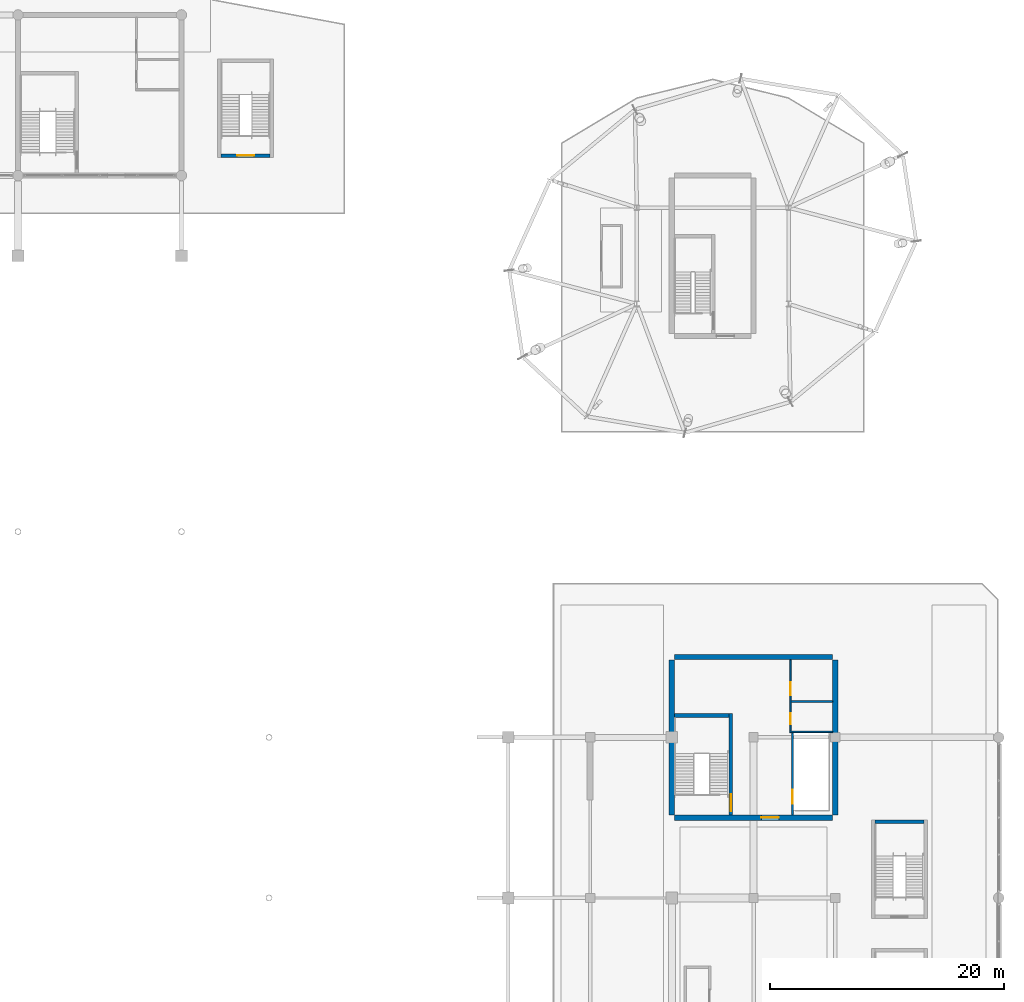
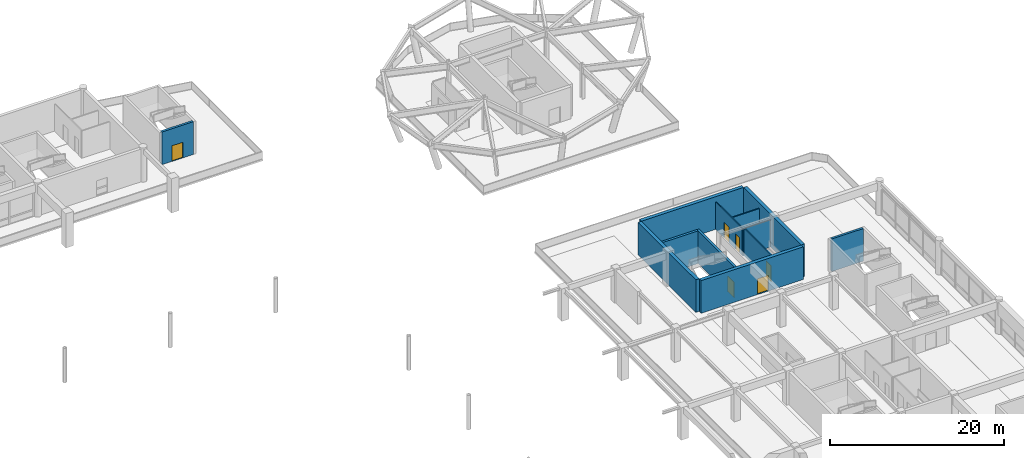
# One storey, part 74 of 91: 12 walls, 6 doors, 6 openings.
"""IFC4 building model written with IfcOpenShell, lengths in metres."""

from ifc_helpers import new_model, si_unit, direction, frame, frame_2d, origin, place, context, subcontext, project, spatial, rectangle, extrude, material, layer, layer_set, type_object, element, fill, save


model = new_model("IFC4")

# Units and contexts
model_context = context("Model", 3, precision=1e-05, world=origin(), true_north=direction((0.0, 1.0)))
body_context = subcontext(model_context, "Body", "Model", "MODEL_VIEW")
ifc_project = project(units=[si_unit("LENGTHUNIT", "METRE"), si_unit("AREAUNIT", "SQUARE_METRE"), si_unit("VOLUMEUNIT", "CUBIC_METRE"), si_unit("PLANEANGLEUNIT", "RADIAN"), si_unit("MASSUNIT", "GRAM", prefix="KILO")], contexts=[model_context])

# Site, building, storey
site_placement = place(None, origin())
site = spatial("IfcSite", under=ifc_project, at=site_placement, CompositionType="ELEMENT")
building_placement = place(site_placement, origin())
building = spatial("IfcBuilding", under=site, at=building_placement, Name="Linyun Crest Stadium", CompositionType="ELEMENT")
storey_placement = place(building_placement, frame((0.0, 0.0, 11.39990234375)))
storey = spatial("IfcBuildingStorey", under=building, at=storey_placement, Name="L03", CompositionType="ELEMENT", Elevation=11.39990234375)

# Walls
ifc_material_1 = material(Name="Concrete C50", Category="concrete")
ifc_layer_1 = layer(ifc_material_1, 0.449951171875)
ifc_layer_set_1 = layer_set([ifc_layer_1], Name="Concrete C50")
wall_type_1 = type_object("IfcWallType", Name="CW03", PredefinedType="SHEAR", material=ifc_layer_set_1)
for number, where, z_axis, x_axis, name in (
    (1, (70.0, 36.72509765625, 0.0), (0.0, 0.0, 1.0), (0.0, 1.0, 0.0), "Core shear wall CW03 CORE-E3 L03.1"),
    (2, (84.0, 36.72509765625, 0.0), (0.0, 0.0, 1.0), (0.0, 1.0, 0.0), "Core shear wall CW03 CORE-E3 L03.2"),
):
    element("IfcWall", number, at=place(storey_placement, frame(where, z_axis=z_axis, x_axis=x_axis)), inside=storey, type_object=wall_type_1, Name=name, PredefinedType="SHEAR", context=body_context, shape_type="SweptSolid", body=[
        extrude(rectangle(XDim=13.2998046875, YDim=0.449951171875, at=frame_2d((6.64990234375, 0.0))), origin(), (0.0, 0.0, 1.0), 4.580078125),
    ])

# Wall, opening, door
wall_1_placement = place(storey_placement, frame((70.22509765625, 36.5, 0.0), z_axis=(0.0, 0.0, 1.0), x_axis=(1.0, 0.0, 0.0)))
wall_1 = element("IfcWall", 3, at=wall_1_placement, inside=storey, type_object=wall_type_1, Name="Core shear wall CW03 CORE-E3 L03.3", PredefinedType="SHEAR", context=body_context, shape_type="SweptSolid", body=[
    extrude(rectangle(XDim=13.5498046875, YDim=0.449951171875, at=frame_2d((6.77490234375, 0.0))), origin(), (0.0, 0.0, 1.0), 4.580078125),
])
opening_1_placement = place(wall_1_placement, frame((7.452880859375, 0.0, 0.0)))
opening_1 = element("IfcOpeningElement", 4, at=opening_1_placement, cuts=wall_1, Name="Opening D-L03-241", PredefinedType="OPENING", context=body_context, shape_type="SweptSolid", body=[
    extrude(rectangle(XDim=1.5, YDim=2.199951171875, at=frame_2d((0.75, 1.10009765625))), frame((0.0, 0.23486328125, 0.0), z_axis=(0.0, -1.0, 0.0), x_axis=(1.0, 0.0, 0.0)), (0.0, 0.0, 1.0), 0.469970703125),
])
ifc_material_2 = material(Name="Galvanized steel Class A fire door", Category="steel")
ifc_layer_2 = layer(ifc_material_2, 0.054931640625)
ifc_layer_set_2 = layer_set([ifc_layer_2], Name="Galvanized steel Class A fire door")
door_type_1 = type_object("IfcDoorType", Name="FD01", OperationType="NOTDEFINED", PredefinedType="DOOR", material=ifc_layer_set_2)
door_1_placement = place(opening_1_placement, origin())
door_1 = element("IfcDoor", 5, at=door_1_placement, inside=storey, type_object=door_type_1, Name="Door D-L03-241", OperationType="SINGLE_SWING_LEFT", OverallHeight=2.199951171875, OverallWidth=1.5, PredefinedType="DOOR", context=body_context, shape_type="SweptSolid", body=[
    extrude(rectangle(XDim=1.5, YDim=2.199951171875, at=frame_2d((0.75, 1.10009765625))), frame((0.0, 0.02490234375, 0.0), z_axis=(0.0, -1.0, 0.0), x_axis=(1.0, 0.0, 0.0)), (0.0, 0.0, 1.0), 0.050048828125),
])
fill(opening_1, door_1)

# Wall
wall_2_placement = place(storey_placement, frame((70.22509765625, 50.25, 0.0), z_axis=(0.0, 0.0, 1.0), x_axis=(1.0, 0.0, 0.0)))
element("IfcWall", 6, at=wall_2_placement, inside=storey, type_object=wall_type_1, Name="Core shear wall CW03 CORE-E3 L03.4", PredefinedType="SHEAR", context=body_context, shape_type="SweptSolid", body=[
    extrude(rectangle(XDim=13.5498046875, YDim=0.449951171875, at=frame_2d((6.77490234375, 0.0))), origin(), (0.0, 0.0, 1.0), 4.580078125),
])

# Wall, opening, door
ifc_material_3 = material(Name="Autoclaved aerated concrete block fire partition", Category="concrete")
ifc_layer_3 = layer(ifc_material_3, 0.179931640625)
ifc_layer_set_3 = layer_set([ifc_layer_3], Name="Autoclaved aerated concrete block fire partition")
wall_type_2 = type_object("IfcWallType", Name="PW12", PredefinedType="PARTITIONING", material=ifc_layer_set_3)
wall_3_placement = place(storey_placement, frame((80.35009765625, 36.72509765625, 0.0), z_axis=(0.0, 0.0, 1.0), x_axis=(0.0, 1.0, 0.0)))
wall_3 = element("IfcWall", 7, at=wall_3_placement, inside=storey, type_object=wall_type_2, Name="Partition PW12 L03 87", PredefinedType="PARTITIONING", context=body_context, shape_type="SweptSolid", body=[
    extrude(rectangle(XDim=7.054931640625, YDim=0.179931640625, at=frame_2d((3.52734375, 0.0))), origin(), (0.0, 0.0, 1.0), 3.820068359375),
])
opening_2_placement = place(wall_3_placement, frame((0.97509765625, 0.0, 0.0)))
opening_2 = element("IfcOpeningElement", 8, at=opening_2_placement, cuts=wall_3, Name="Opening LD082", PredefinedType="OPENING", context=body_context, shape_type="SweptSolid", body=[
    extrude(rectangle(XDim=1.199951171875, YDim=2.25, at=frame_2d((0.60009765625, 1.125))), frame((0.0, 0.099853515625, 0.0), z_axis=(0.0, -1.0, 0.0), x_axis=(1.0, 0.0, 0.0)), (0.0, 0.0, 1.0), 0.199951171875),
])
ifc_material_4 = material(Name="Brushed stainless sliding lift door")
ifc_layer_4 = layer(ifc_material_4, 0.050048828125)
ifc_layer_set_4 = layer_set([ifc_layer_4], Name="Brushed stainless sliding lift door")
door_type_2 = type_object("IfcDoorType", Name="LD02", OperationType="NOTDEFINED", PredefinedType="DOOR", material=ifc_layer_set_4)
door_2_placement = place(opening_2_placement, origin())
door_2 = element("IfcDoor", 9, at=door_2_placement, inside=storey, type_object=door_type_2, Name="Lift landing door LD082", OperationType="DOUBLE_DOOR_SLIDING", OverallHeight=2.25, OverallWidth=1.199951171875, PredefinedType="DOOR", context=body_context, shape_type="SweptSolid", body=[
    extrude(rectangle(XDim=1.199951171875, YDim=2.25, at=frame_2d((0.60009765625, 1.125))), frame((0.0, 0.02490234375, 0.0), z_axis=(0.0, -1.0, 0.0), x_axis=(1.0, 0.0, 0.0)), (0.0, 0.0, 1.0), 0.050048828125),
])
fill(opening_2, door_2)

# Wall, openings, doors
ifc_material_5 = material(Name="Moisture-resistant ceramic-tiled wet-room wall")
ifc_layer_5 = layer(ifc_material_5, 0.139892578125)
ifc_layer_set_5 = layer_set([ifc_layer_5], Name="Moisture-resistant ceramic-tiled wet-room wall")
wall_type_3 = type_object("IfcWallType", Name="PW15", PredefinedType="PARTITIONING", material=ifc_layer_set_5)
wall_4_placement = place(storey_placement, frame((80.14990234375, 43.919921875, 0.0), z_axis=(0.0, 0.0, 1.0), x_axis=(0.0, 1.0, 0.0)))
wall_4 = element("IfcWall", 10, at=wall_4_placement, inside=storey, type_object=wall_type_3, Name="Partition PW15 L03 88", PredefinedType="PARTITIONING", context=body_context, shape_type="SweptSolid", body=[
    extrude(rectangle(XDim=6.10498046875, YDim=0.139892578125, at=frame_2d((3.052490234375, 0.0))), origin(), (0.0, 0.0, 1.0), 3.820068359375),
])
opening_3_placement = place(wall_4_placement, frame((0.580078125, 0.0, 0.0)))
opening_3 = element("IfcOpeningElement", 11, at=opening_3_placement, cuts=wall_4, Name="Opening D-L03-244", PredefinedType="OPENING", context=body_context, shape_type="SweptSolid", body=[
    extrude(rectangle(XDim=0.949951171875, YDim=2.14990234375, at=frame_2d((0.47509765625, 1.074951171875))), frame((0.0, 0.079833984375, 0.0), z_axis=(0.0, -1.0, 0.0), x_axis=(1.0, 0.0, 0.0)), (0.0, 0.0, 1.0), 0.159912109375),
])
opening_4_placement = place(wall_4_placement, frame((3.080078125, 0.0, 0.0)))
opening_4 = element("IfcOpeningElement", 12, at=opening_4_placement, cuts=wall_4, Name="Opening D-L03-245", PredefinedType="OPENING", context=body_context, shape_type="SweptSolid", body=[
    extrude(rectangle(XDim=1.10009765625, YDim=2.14990234375, at=frame_2d((0.550048828125, 1.074951171875))), frame((0.0, 0.079833984375, 0.0), z_axis=(0.0, -1.0, 0.0), x_axis=(1.0, 0.0, 0.0)), (0.0, 0.0, 1.0), 0.159912109375),
])
ifc_material_6 = material(Name="Moisture-resistant laminate leaf")
ifc_layer_6 = layer(ifc_material_6, 0.044921875)
ifc_layer_set_6 = layer_set([ifc_layer_6], Name="Moisture-resistant laminate leaf")
door_type_3 = type_object("IfcDoorType", Name="ID02", OperationType="NOTDEFINED", PredefinedType="DOOR", material=ifc_layer_set_6)
door_3_placement = place(opening_3_placement, origin())
door_3 = element("IfcDoor", 13, at=door_3_placement, inside=storey, type_object=door_type_3, Name="Door D-L03-244", OperationType="SINGLE_SWING_RIGHT", OverallHeight=2.14990234375, OverallWidth=0.949951171875, PredefinedType="DOOR", context=body_context, shape_type="SweptSolid", body=[
    extrude(rectangle(XDim=0.949951171875, YDim=2.14990234375, at=frame_2d((0.47509765625, 1.074951171875))), frame((0.0, 0.02490234375, 0.0), z_axis=(0.0, -1.0, 0.0), x_axis=(1.0, 0.0, 0.0)), (0.0, 0.0, 1.0), 0.050048828125),
])
fill(opening_3, door_3)
ifc_material_7 = material(Name="Moisture-resistant laminate leaf")
ifc_layer_7 = layer(ifc_material_7, 0.044921875)
ifc_layer_set_7 = layer_set([ifc_layer_7], Name="Moisture-resistant laminate leaf")
door_type_4 = type_object("IfcDoorType", Name="ID03", OperationType="NOTDEFINED", PredefinedType="DOOR", material=ifc_layer_set_7)
door_4_placement = place(opening_4_placement, origin())
door_4 = element("IfcDoor", 14, at=door_4_placement, inside=storey, type_object=door_type_4, Name="Door D-L03-245", OperationType="SINGLE_SWING_LEFT", OverallHeight=2.14990234375, OverallWidth=1.10009765625, PredefinedType="DOOR", context=body_context, shape_type="SweptSolid", body=[
    extrude(rectangle(XDim=1.10009765625, YDim=2.14990234375, at=frame_2d((0.550048828125, 1.074951171875))), frame((0.0, 0.02490234375, 0.0), z_axis=(0.0, -1.0, 0.0), x_axis=(1.0, 0.0, 0.0)), (0.0, 0.0, 1.0), 0.050048828125),
])
fill(opening_4, door_4)

# Walls
wall_5_placement = place(storey_placement, frame((80.080078125, 43.85009765625, 0.0), z_axis=(0.0, 0.0, 1.0), x_axis=(1.0, 0.0, 0.0)))
element("IfcWall", 15, at=wall_5_placement, inside=storey, type_object=wall_type_3, Name="Enclosure partition PW15 L03 73", PredefinedType="PARTITIONING", context=body_context, shape_type="SweptSolid", body=[
    extrude(rectangle(XDim=3.69482421875, YDim=0.139892578125, at=frame_2d((1.847412109375, 0.0))), origin(), (0.0, 0.0, 1.0), 3.820068359375),
])
wall_6_placement = place(storey_placement, frame((80.219970703125, 46.449951171875, 0.0), z_axis=(0.0, 0.0, 1.0), x_axis=(1.0, 0.0, 0.0)))
element("IfcWall", 16, at=wall_6_placement, inside=storey, type_object=wall_type_3, Name="Enclosure partition PW15 L03 74", PredefinedType="PARTITIONING", context=body_context, shape_type="SweptSolid", body=[
    extrude(rectangle(XDim=3.554931640625, YDim=0.139892578125, at=frame_2d((1.77734375, 0.0))), origin(), (0.0, 0.0, 1.0), 3.820068359375),
])

# Wall, opening, door
ifc_material_8 = material(Name="Concrete C50", Category="concrete")
ifc_layer_8 = layer(ifc_material_8, 0.300048828125)
ifc_layer_set_8 = layer_set([ifc_layer_8], Name="Concrete C50")
wall_type_4 = type_object("IfcWallType", Name="SW01", PredefinedType="SHEAR", material=ifc_layer_set_8)
wall_7_placement = place(storey_placement, frame((75.050048828125, 36.72509765625, 0.0), z_axis=(0.0, 0.0, 1.0), x_axis=(0.0, 1.0, 0.0)))
wall_7 = element("IfcWall", 17, at=wall_7_placement, inside=storey, type_object=wall_type_4, Name="Core stair east bearing wall SW01 6 L03", PredefinedType="SHEAR", context=body_context, shape_type="SweptSolid", body=[
    extrude(rectangle(XDim=8.6748046875, YDim=0.300048828125, at=frame_2d((4.33740234375, 0.0))), origin(), (0.0, 0.0, 1.0), 4.580078125),
])
opening_5_placement = place(wall_7_placement, frame((0.344970703125, 0.0, 0.0)))
opening_5 = element("IfcOpeningElement", 18, at=opening_5_placement, cuts=wall_7, Name="Opening D-L03-242", PredefinedType="OPENING", context=body_context, shape_type="SweptSolid", body=[
    extrude(rectangle(XDim=1.449951171875, YDim=2.199951171875, at=frame_2d((0.72509765625, 1.10009765625))), frame((0.0, 0.159912109375, 0.0), z_axis=(0.0, -1.0, 0.0), x_axis=(1.0, 0.0, 0.0)), (0.0, 0.0, 1.0), 0.320068359375),
])
ifc_material_9 = material(Name="Galvanized steel Class A fire door", Category="steel")
ifc_layer_9 = layer(ifc_material_9, 0.054931640625)
ifc_layer_set_9 = layer_set([ifc_layer_9], Name="Galvanized steel Class A fire door")
door_type_5 = type_object("IfcDoorType", Name="FD02", OperationType="NOTDEFINED", PredefinedType="DOOR", material=ifc_layer_set_9)
door_5_placement = place(opening_5_placement, origin())
door_5 = element("IfcDoor", 19, at=door_5_placement, inside=storey, type_object=door_type_5, Name="Door D-L03-242", OperationType="SINGLE_SWING_RIGHT", OverallHeight=2.199951171875, OverallWidth=1.449951171875, PredefinedType="DOOR", context=body_context, shape_type="SweptSolid", body=[
    extrude(rectangle(XDim=1.449951171875, YDim=2.199951171875, at=frame_2d((0.72509765625, 1.10009765625))), frame((0.0, 0.02490234375, 0.0), z_axis=(0.0, -1.0, 0.0), x_axis=(1.0, 0.0, 0.0)), (0.0, 0.0, 1.0), 0.050048828125),
])
fill(opening_5, door_5)

# Walls
wall_8_placement = place(storey_placement, frame((70.22509765625, 45.25, 0.0), z_axis=(0.0, 0.0, 1.0), x_axis=(1.0, 0.0, 0.0)))
element("IfcWall", 20, at=wall_8_placement, inside=storey, type_object=wall_type_4, Name="Core stair bearing wall SW01 6 L03", PredefinedType="SHEAR", context=body_context, shape_type="SweptSolid", body=[
    extrude(rectangle(XDim=4.6748046875, YDim=0.300048828125, at=frame_2d((2.33740234375, 0.0))), origin(), (0.0, 0.0, 1.0), 4.580078125),
])
wall_9_placement = place(storey_placement, frame((87.39990234375, 36.14990234375, 0.0), z_axis=(0.0, 0.0, 1.0), x_axis=(1.0, 0.0, 0.0)))
element("IfcWall", 21, at=wall_9_placement, inside=storey, type_object=wall_type_4, Name="Stair shaft wall SW01 STR-22 L03 N", PredefinedType="SHEAR", context=body_context, shape_type="SweptSolid", body=[
    extrude(rectangle(XDim=4.2001953125, YDim=0.300048828125, at=frame_2d((2.10009765625, 0.0))), origin(), (0.0, 0.0, 1.0), 4.580078125),
])

# Wall, opening, door
wall_10_placement = place(storey_placement, frame((31.39990234375, 93.199951171875, 0.0), z_axis=(0.0, 0.0, 1.0), x_axis=(1.0, 0.0, 0.0)))
wall_10 = element("IfcWall", 22, at=wall_10_placement, inside=storey, type_object=wall_type_4, Name="Stair shaft wall SW01 STR-26 L03 S", PredefinedType="SHEAR", context=body_context, shape_type="SweptSolid", body=[
    extrude(rectangle(XDim=4.2001953125, YDim=0.300048828125, at=frame_2d((2.10009765625, 0.0))), origin(), (0.0, 0.0, 1.0), 4.60009765625),
])
opening_6_placement = place(wall_10_placement, frame((1.375, 0.0, 0.0)))
opening_6 = element("IfcOpeningElement", 23, at=opening_6_placement, cuts=wall_10, Name="Opening D-L03-613", PredefinedType="OPENING", context=body_context, shape_type="SweptSolid", body=[
    extrude(rectangle(XDim=1.449951171875, YDim=2.199951171875, at=frame_2d((0.72509765625, 1.10009765625))), frame((0.0, 0.159912109375, 0.0), z_axis=(0.0, -1.0, 0.0), x_axis=(1.0, 0.0, 0.0)), (0.0, 0.0, 1.0), 0.320068359375),
])
door_6_placement = place(opening_6_placement, origin())
door_6 = element("IfcDoor", 24, at=door_6_placement, inside=storey, type_object=door_type_5, Name="Door D-L03-613", OperationType="SINGLE_SWING_LEFT", OverallHeight=2.199951171875, OverallWidth=1.449951171875, PredefinedType="DOOR", context=body_context, shape_type="SweptSolid", body=[
    extrude(rectangle(XDim=1.449951171875, YDim=2.199951171875, at=frame_2d((0.72509765625, 1.10009765625))), frame((0.0, 0.02490234375, 0.0), z_axis=(0.0, -1.0, 0.0), x_axis=(1.0, 0.0, 0.0)), (0.0, 0.0, 1.0), 0.050048828125),
])
fill(opening_6, door_6)

save(model, "model.ifc")
